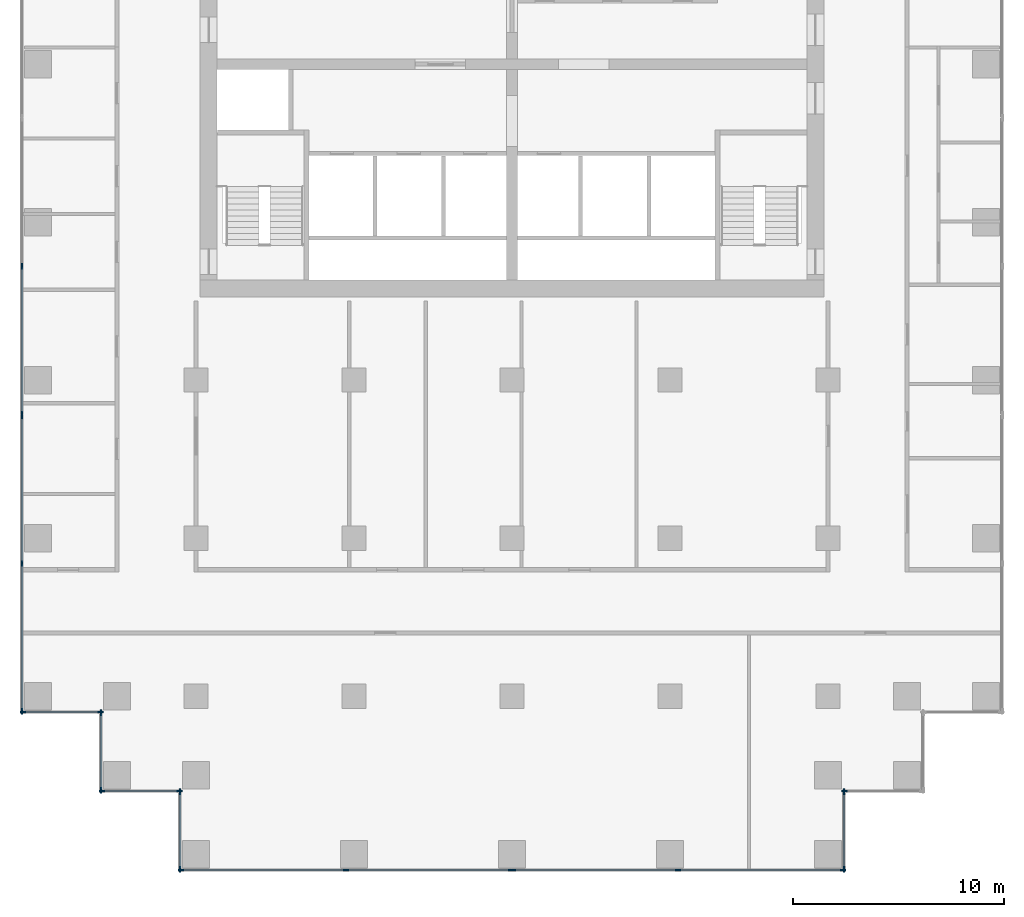
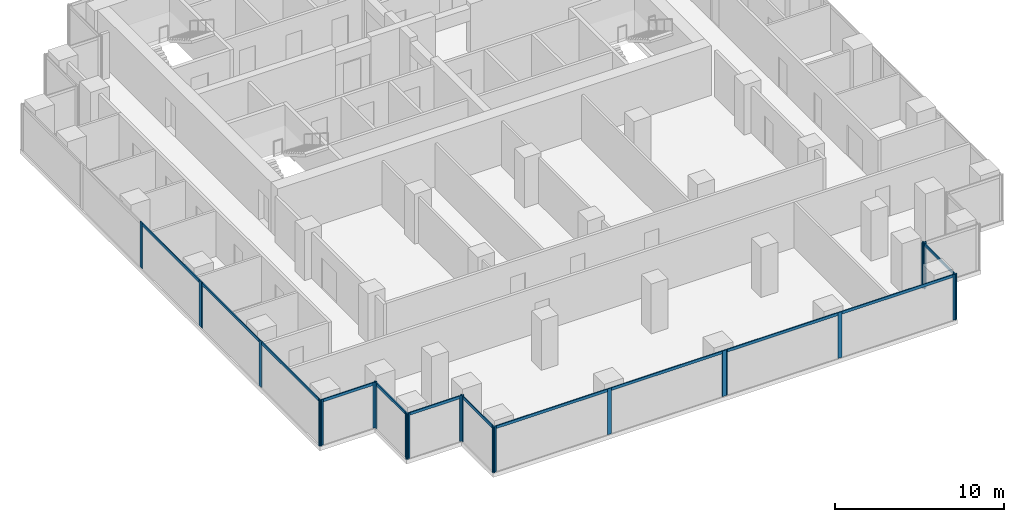
# One storey, part 2 of 10: 34 members, 10 elements without a shape of their own.
"""IFC4 building model written with IfcOpenShell, lengths in metres."""

from ifc_helpers import new_model, si_unit, direction, frame, origin, origin_2d, place, context, subcontext, project, spatial, rectangle, extrude, material, material_profile, profile_set, type_object, element, aggregate, save


model = new_model("IFC4")

# Units and contexts
model_context = context("Model", 3, precision=1e-05, world=origin(), true_north=direction((0.0, 1.0)))
body_context = subcontext(model_context, "Body", "Model", "MODEL_VIEW")
ifc_project = project(units=[si_unit("LENGTHUNIT", "METRE"), si_unit("AREAUNIT", "SQUARE_METRE"), si_unit("VOLUMEUNIT", "CUBIC_METRE"), si_unit("PLANEANGLEUNIT", "RADIAN"), si_unit("MASSUNIT", "GRAM", prefix="KILO")], contexts=[model_context])

# Site, building, storey
site_placement = place(None, origin())
site = spatial("IfcSite", under=ifc_project, at=site_placement, CompositionType="ELEMENT")
building_placement = place(site_placement, origin())
building = spatial("IfcBuilding", under=site, at=building_placement, Name="Pilkhan Gate Tower", CompositionType="ELEMENT")
storey_placement = place(building_placement, frame((0.0, 0.0, 132.39990234375)))
storey = spatial("IfcBuildingStorey", under=building, at=storey_placement, Name="L33", CompositionType="ELEMENT", Elevation=132.39990234375)

# Curtain wall, members
ifc_material_1 = material(Name="Pale anodised aluminium, clear low-iron double glazing", Category="aluminium")
curtain_wall_type = type_object("IfcCurtainWallType", Name="Office unitised curtain wall CW-O1", PredefinedType="USERDEFINED", material=ifc_material_1)
curtain_wall_1_placement = place(storey_placement, origin())
curtain_wall_1 = element("IfcCurtainWall", 1, at=curtain_wall_1_placement, inside=storey, type_object=curtain_wall_type, Name="Office unitised curtain wall CW-O1 L33 W", ObjectType="UNITISED CURTAIN WALL", PredefinedType="USERDEFINED")
ifc_material_2 = material(Name="Pale anodised aluminium", Category="aluminium")
ifc_material_profile_1 = material_profile(ifc_material_2, rectangle(XDim=0.070068359375, YDim=0.27490234375, at=origin_2d()), Name="Mullion 275x70")
ifc_profile_set_1 = profile_set([ifc_material_profile_1], Name="Pale anodised aluminium")
member_type_1 = type_object("IfcMemberType", Name="Mullion CW-O1 275x70", PredefinedType="MULLION", material=ifc_profile_set_1)
member_1_placement = place(storey_placement, frame((51.75, 51.784912109375, 0.0), z_axis=(0.0, 0.0, 1.0), x_axis=(-1.0, 0.0, 0.0)))
member_1 = element("IfcMember", 2, at=member_1_placement, type_object=member_type_1, Name="CW-O1 mullion 1", PredefinedType="MULLION", context=body_context, shape_type="SweptSolid", body=[
    extrude(rectangle(XDim=0.070068359375, YDim=0.27490234375, at=origin_2d()), origin(), (0.0, 0.0, 1.0), 3.300048828125),
])
member_2_placement = place(storey_placement, frame((51.75, 58.800048828125, 0.0), z_axis=(0.0, 0.0, 1.0), x_axis=(-1.0, 0.0, 0.0)))
member_2 = element("IfcMember", 3, at=member_2_placement, type_object=member_type_1, Name="CW-O1 mullion 2", PredefinedType="MULLION", context=body_context, shape_type="SweptSolid", body=[
    extrude(rectangle(XDim=0.070068359375, YDim=0.27490234375, at=origin_2d()), origin(), (0.0, 0.0, 1.0), 3.300048828125),
])
member_3_placement = place(storey_placement, frame((51.75, 65.81494140625, 0.0), z_axis=(0.0, 0.0, 1.0), x_axis=(-1.0, 0.0, 0.0)))
member_3 = element("IfcMember", 4, at=member_3_placement, type_object=member_type_1, Name="CW-O1 mullion 3", PredefinedType="MULLION", context=body_context, shape_type="SweptSolid", body=[
    extrude(rectangle(XDim=0.070068359375, YDim=0.27490234375, at=origin_2d()), origin(), (0.0, 0.0, 1.0), 3.300048828125),
])

curtain_wall_2_placement = place(storey_placement, origin())
curtain_wall_2 = element("IfcCurtainWall", 5, at=curtain_wall_2_placement, inside=storey, type_object=curtain_wall_type, Name="Office unitised curtain wall CW-O1 L33 W", ObjectType="UNITISED CURTAIN WALL", PredefinedType="USERDEFINED")
member_4_placement = place(storey_placement, frame((51.75, 65.885009765625, 0.0), z_axis=(0.0, 0.0, 1.0), x_axis=(-1.0, 0.0, 0.0)))
member_4 = element("IfcMember", 6, at=member_4_placement, type_object=member_type_1, Name="CW-O1 mullion 1", PredefinedType="MULLION", context=body_context, shape_type="SweptSolid", body=[
    extrude(rectangle(XDim=0.070068359375, YDim=0.27490234375, at=origin_2d()), origin(), (0.0, 0.0, 1.0), 3.300048828125),
])
member_5_placement = place(storey_placement, frame((51.75, 72.89990234375, 0.0), z_axis=(0.0, 0.0, 1.0), x_axis=(-1.0, 0.0, 0.0)))
member_5 = element("IfcMember", 7, at=member_5_placement, type_object=member_type_1, Name="CW-O1 mullion 2", PredefinedType="MULLION", context=body_context, shape_type="SweptSolid", body=[
    extrude(rectangle(XDim=0.070068359375, YDim=0.27490234375, at=origin_2d()), origin(), (0.0, 0.0, 1.0), 3.300048828125),
])

curtain_wall_3_placement = place(storey_placement, origin())
curtain_wall_3 = element("IfcCurtainWall", 8, at=curtain_wall_3_placement, inside=storey, type_object=curtain_wall_type, Name="Office unitised curtain wall CW-O1 L33 S", ObjectType="UNITISED CURTAIN WALL", PredefinedType="USERDEFINED")
member_6_placement = place(storey_placement, frame((51.784912109375, 51.75, 0.0), z_axis=(0.0, 0.0, 1.0), x_axis=(0.0, 1.0, 0.0)))
member_6 = element("IfcMember", 9, at=member_6_placement, type_object=member_type_1, Name="CW-O1 mullion 1", PredefinedType="MULLION", context=body_context, shape_type="SweptSolid", body=[
    extrude(rectangle(XDim=0.070068359375, YDim=0.27490234375, at=origin_2d()), origin(), (0.0, 0.0, 1.0), 3.300048828125),
])
member_7_placement = place(storey_placement, frame((55.465087890625, 51.75, 0.0), z_axis=(0.0, 0.0, 1.0), x_axis=(0.0, 1.0, 0.0)))
member_7 = element("IfcMember", 10, at=member_7_placement, type_object=member_type_1, Name="CW-O1 mullion 2", PredefinedType="MULLION", context=body_context, shape_type="SweptSolid", body=[
    extrude(rectangle(XDim=0.070068359375, YDim=0.27490234375, at=origin_2d()), origin(), (0.0, 0.0, 1.0), 3.300048828125),
])

curtain_wall_4_placement = place(storey_placement, origin())
curtain_wall_4 = element("IfcCurtainWall", 11, at=curtain_wall_4_placement, inside=storey, type_object=curtain_wall_type, Name="Office unitised curtain wall CW-O1 L33 W", ObjectType="UNITISED CURTAIN WALL", PredefinedType="USERDEFINED")
member_8_placement = place(storey_placement, frame((55.5, 48.034912109375, 0.0), z_axis=(0.0, 0.0, 1.0), x_axis=(-1.0, 0.0, 0.0)))
member_8 = element("IfcMember", 12, at=member_8_placement, type_object=member_type_1, Name="CW-O1 mullion 1", PredefinedType="MULLION", context=body_context, shape_type="SweptSolid", body=[
    extrude(rectangle(XDim=0.070068359375, YDim=0.27490234375, at=origin_2d()), origin(), (0.0, 0.0, 1.0), 3.300048828125),
])
member_9_placement = place(storey_placement, frame((55.5, 51.715087890625, 0.0), z_axis=(0.0, 0.0, 1.0), x_axis=(-1.0, 0.0, 0.0)))
member_9 = element("IfcMember", 13, at=member_9_placement, type_object=member_type_1, Name="CW-O1 mullion 2", PredefinedType="MULLION", context=body_context, shape_type="SweptSolid", body=[
    extrude(rectangle(XDim=0.070068359375, YDim=0.27490234375, at=origin_2d()), origin(), (0.0, 0.0, 1.0), 3.300048828125),
])

curtain_wall_5_placement = place(storey_placement, origin())
curtain_wall_5 = element("IfcCurtainWall", 14, at=curtain_wall_5_placement, inside=storey, type_object=curtain_wall_type, Name="Office unitised curtain wall CW-O1 L33 S", ObjectType="UNITISED CURTAIN WALL", PredefinedType="USERDEFINED")
member_10_placement = place(storey_placement, frame((55.534912109375, 48.0, 0.0), z_axis=(0.0, 0.0, 1.0), x_axis=(0.0, 1.0, 0.0)))
member_10 = element("IfcMember", 15, at=member_10_placement, type_object=member_type_1, Name="CW-O1 mullion 1", PredefinedType="MULLION", context=body_context, shape_type="SweptSolid", body=[
    extrude(rectangle(XDim=0.070068359375, YDim=0.27490234375, at=origin_2d()), origin(), (0.0, 0.0, 1.0), 3.300048828125),
])
member_11_placement = place(storey_placement, frame((59.215087890625, 48.0, 0.0), z_axis=(0.0, 0.0, 1.0), x_axis=(0.0, 1.0, 0.0)))
member_11 = element("IfcMember", 16, at=member_11_placement, type_object=member_type_1, Name="CW-O1 mullion 2", PredefinedType="MULLION", context=body_context, shape_type="SweptSolid", body=[
    extrude(rectangle(XDim=0.070068359375, YDim=0.27490234375, at=origin_2d()), origin(), (0.0, 0.0, 1.0), 3.300048828125),
])

curtain_wall_6_placement = place(storey_placement, origin())
curtain_wall_6 = element("IfcCurtainWall", 17, at=curtain_wall_6_placement, inside=storey, type_object=curtain_wall_type, Name="Office unitised curtain wall CW-O1 L33 W", ObjectType="UNITISED CURTAIN WALL", PredefinedType="USERDEFINED")
member_12_placement = place(storey_placement, frame((59.25, 44.284912109375, 0.0), z_axis=(0.0, 0.0, 1.0), x_axis=(-1.0, 0.0, 0.0)))
member_12 = element("IfcMember", 18, at=member_12_placement, type_object=member_type_1, Name="CW-O1 mullion 1", PredefinedType="MULLION", context=body_context, shape_type="SweptSolid", body=[
    extrude(rectangle(XDim=0.070068359375, YDim=0.27490234375, at=origin_2d()), origin(), (0.0, 0.0, 1.0), 3.300048828125),
])
member_13_placement = place(storey_placement, frame((59.25, 47.965087890625, 0.0), z_axis=(0.0, 0.0, 1.0), x_axis=(-1.0, 0.0, 0.0)))
member_13 = element("IfcMember", 19, at=member_13_placement, type_object=member_type_1, Name="CW-O1 mullion 2", PredefinedType="MULLION", context=body_context, shape_type="SweptSolid", body=[
    extrude(rectangle(XDim=0.070068359375, YDim=0.27490234375, at=origin_2d()), origin(), (0.0, 0.0, 1.0), 3.300048828125),
])

curtain_wall_7_placement = place(storey_placement, origin())
curtain_wall_7 = element("IfcCurtainWall", 20, at=curtain_wall_7_placement, inside=storey, type_object=curtain_wall_type, Name="Office unitised curtain wall CW-O1 L33 S", ObjectType="UNITISED CURTAIN WALL", PredefinedType="USERDEFINED")
member_14_placement = place(storey_placement, frame((59.284912109375, 44.25, 0.0), z_axis=(0.0, 0.0, 1.0), x_axis=(0.0, 1.0, 0.0)))
member_14 = element("IfcMember", 21, at=member_14_placement, type_object=member_type_1, Name="CW-O1 mullion 1", PredefinedType="MULLION", context=body_context, shape_type="SweptSolid", body=[
    extrude(rectangle(XDim=0.070068359375, YDim=0.27490234375, at=origin_2d()), origin(), (0.0, 0.0, 1.0), 3.300048828125),
])
member_15_placement = place(storey_placement, frame((67.125, 44.25, 0.0), z_axis=(0.0, 0.0, 1.0), x_axis=(0.0, 1.0, 0.0)))
member_15 = element("IfcMember", 22, at=member_15_placement, type_object=member_type_1, Name="CW-O1 mullion 2", PredefinedType="MULLION", context=body_context, shape_type="SweptSolid", body=[
    extrude(rectangle(XDim=0.070068359375, YDim=0.27490234375, at=origin_2d()), origin(), (0.0, 0.0, 1.0), 3.300048828125),
])
member_16_placement = place(storey_placement, frame((74.965087890625, 44.25, 0.0), z_axis=(0.0, 0.0, 1.0), x_axis=(0.0, 1.0, 0.0)))
member_16 = element("IfcMember", 23, at=member_16_placement, type_object=member_type_1, Name="CW-O1 mullion 3", PredefinedType="MULLION", context=body_context, shape_type="SweptSolid", body=[
    extrude(rectangle(XDim=0.070068359375, YDim=0.27490234375, at=origin_2d()), origin(), (0.0, 0.0, 1.0), 3.300048828125),
])

curtain_wall_8_placement = place(storey_placement, origin())
curtain_wall_8 = element("IfcCurtainWall", 24, at=curtain_wall_8_placement, inside=storey, type_object=curtain_wall_type, Name="Office unitised curtain wall CW-O1 L33 S", ObjectType="UNITISED CURTAIN WALL", PredefinedType="USERDEFINED")
member_17_placement = place(storey_placement, frame((75.034912109375, 44.25, 0.0), z_axis=(0.0, 0.0, 1.0), x_axis=(0.0, 1.0, 0.0)))
member_17 = element("IfcMember", 25, at=member_17_placement, type_object=member_type_1, Name="CW-O1 mullion 1", PredefinedType="MULLION", context=body_context, shape_type="SweptSolid", body=[
    extrude(rectangle(XDim=0.070068359375, YDim=0.27490234375, at=origin_2d()), origin(), (0.0, 0.0, 1.0), 3.300048828125),
])
member_18_placement = place(storey_placement, frame((82.875, 44.25, 0.0), z_axis=(0.0, 0.0, 1.0), x_axis=(0.0, 1.0, 0.0)))
member_18 = element("IfcMember", 26, at=member_18_placement, type_object=member_type_1, Name="CW-O1 mullion 2", PredefinedType="MULLION", context=body_context, shape_type="SweptSolid", body=[
    extrude(rectangle(XDim=0.070068359375, YDim=0.27490234375, at=origin_2d()), origin(), (0.0, 0.0, 1.0), 3.300048828125),
])
member_19_placement = place(storey_placement, frame((90.715087890625, 44.25, 0.0), z_axis=(0.0, 0.0, 1.0), x_axis=(0.0, 1.0, 0.0)))
member_19 = element("IfcMember", 27, at=member_19_placement, type_object=member_type_1, Name="CW-O1 mullion 3", PredefinedType="MULLION", context=body_context, shape_type="SweptSolid", body=[
    extrude(rectangle(XDim=0.070068359375, YDim=0.27490234375, at=origin_2d()), origin(), (0.0, 0.0, 1.0), 3.300048828125),
])

curtain_wall_9_placement = place(storey_placement, origin())
curtain_wall_9 = element("IfcCurtainWall", 28, at=curtain_wall_9_placement, inside=storey, type_object=curtain_wall_type, Name="Office unitised curtain wall CW-O1 L33 E", ObjectType="UNITISED CURTAIN WALL", PredefinedType="USERDEFINED")
member_20_placement = place(storey_placement, frame((90.75, 44.284912109375, 0.0), z_axis=(0.0, 0.0, 1.0), x_axis=(-1.0, 0.0, 0.0)))
member_20 = element("IfcMember", 29, at=member_20_placement, type_object=member_type_1, Name="CW-O1 mullion 1", PredefinedType="MULLION", context=body_context, shape_type="SweptSolid", body=[
    extrude(rectangle(XDim=0.070068359375, YDim=0.27490234375, at=origin_2d()), origin(), (0.0, 0.0, 1.0), 3.300048828125),
])
member_21_placement = place(storey_placement, frame((90.75, 47.965087890625, 0.0), z_axis=(0.0, 0.0, 1.0), x_axis=(-1.0, 0.0, 0.0)))
member_21 = element("IfcMember", 30, at=member_21_placement, type_object=member_type_1, Name="CW-O1 mullion 2", PredefinedType="MULLION", context=body_context, shape_type="SweptSolid", body=[
    extrude(rectangle(XDim=0.070068359375, YDim=0.27490234375, at=origin_2d()), origin(), (0.0, 0.0, 1.0), 3.300048828125),
])

# Curtain wall, member
curtain_wall_10_placement = place(storey_placement, origin())
curtain_wall_10 = element("IfcCurtainWall", 31, at=curtain_wall_10_placement, inside=storey, type_object=curtain_wall_type, Name="Office unitised curtain wall CW-O1 L33 S", ObjectType="UNITISED CURTAIN WALL", PredefinedType="USERDEFINED")
member_22_placement = place(storey_placement, frame((90.784912109375, 48.0, 0.0), z_axis=(0.0, 0.0, 1.0), x_axis=(0.0, 1.0, 0.0)))
member_22 = element("IfcMember", 32, at=member_22_placement, type_object=member_type_1, Name="CW-O1 mullion 1", PredefinedType="MULLION", context=body_context, shape_type="SweptSolid", body=[
    extrude(rectangle(XDim=0.070068359375, YDim=0.27490234375, at=origin_2d()), origin(), (0.0, 0.0, 1.0), 3.300048828125),
])
aggregate(curtain_wall_10, [member_22])

# Member
ifc_material_profile_2 = material_profile(ifc_material_2, rectangle(XDim=0.070068359375, YDim=0.199951171875, at=origin_2d()), Name="Transom 200x70")
ifc_profile_set_2 = profile_set([ifc_material_profile_2], Name="Pale anodised aluminium")
member_type_2 = type_object("IfcMemberType", Name="Transom CW-O1 200x70", PredefinedType="USERDEFINED", material=ifc_profile_set_2)
member_23_placement = place(storey_placement, frame((51.75, 51.820068359375, 3.2001953125), z_axis=(0.0, 1.0, 0.0), x_axis=(-1.0, 0.0, 0.0)))
member_23 = element("IfcMember", 33, at=member_23_placement, type_object=member_type_2, Name="CW-O1 transom 1", ObjectType="TRANSOM", PredefinedType="USERDEFINED", context=body_context, shape_type="SweptSolid", body=[
    extrude(rectangle(XDim=0.070068359375, YDim=0.199951171875, at=origin_2d()), origin(), (0.0, 0.0, 1.0), 6.94482421875),
])

member_24_placement = place(storey_placement, frame((51.75, 58.8349609375, 3.2001953125), z_axis=(0.0, 1.0, 0.0), x_axis=(-1.0, 0.0, 0.0)))
member_24 = element("IfcMember", 34, at=member_24_placement, type_object=member_type_2, Name="CW-O1 transom 2", ObjectType="TRANSOM", PredefinedType="USERDEFINED", context=body_context, shape_type="SweptSolid", body=[
    extrude(rectangle(XDim=0.070068359375, YDim=0.199951171875, at=origin_2d()), origin(), (0.0, 0.0, 1.0), 6.945068359375),
])

aggregate(curtain_wall_1, [member_1, member_2, member_3, member_23, member_24])

member_25_placement = place(storey_placement, frame((51.75, 65.919921875, 3.2001953125), z_axis=(0.0, 1.0, 0.0), x_axis=(-1.0, 0.0, 0.0)))
member_25 = element("IfcMember", 35, at=member_25_placement, type_object=member_type_2, Name="CW-O1 transom 1", ObjectType="TRANSOM", PredefinedType="USERDEFINED", context=body_context, shape_type="SweptSolid", body=[
    extrude(rectangle(XDim=0.070068359375, YDim=0.199951171875, at=origin_2d()), origin(), (0.0, 0.0, 1.0), 6.945068359375),
])

aggregate(curtain_wall_2, [member_4, member_5, member_25])

member_26_placement = place(storey_placement, frame((51.820068359375, 51.75, 3.2001953125), z_axis=(1.0, 0.0, 0.0), x_axis=(0.0, 1.0, 0.0)))
member_26 = element("IfcMember", 36, at=member_26_placement, type_object=member_type_2, Name="CW-O1 transom 1", ObjectType="TRANSOM", PredefinedType="USERDEFINED", context=body_context, shape_type="SweptSolid", body=[
    extrude(rectangle(XDim=0.070068359375, YDim=0.199951171875, at=origin_2d()), origin(), (0.0, 0.0, 1.0), 3.60986328125),
])

aggregate(curtain_wall_3, [member_6, member_7, member_26])

member_27_placement = place(storey_placement, frame((55.5, 48.070068359375, 3.2001953125), z_axis=(0.0, 1.0, 0.0), x_axis=(-1.0, 0.0, 0.0)))
member_27 = element("IfcMember", 37, at=member_27_placement, type_object=member_type_2, Name="CW-O1 transom 1", ObjectType="TRANSOM", PredefinedType="USERDEFINED", context=body_context, shape_type="SweptSolid", body=[
    extrude(rectangle(XDim=0.070068359375, YDim=0.199951171875, at=origin_2d()), origin(), (0.0, 0.0, 1.0), 3.60986328125),
])

aggregate(curtain_wall_4, [member_8, member_9, member_27])

member_28_placement = place(storey_placement, frame((55.570068359375, 48.0, 3.2001953125), z_axis=(1.0, 0.0, 0.0), x_axis=(0.0, 1.0, 0.0)))
member_28 = element("IfcMember", 38, at=member_28_placement, type_object=member_type_2, Name="CW-O1 transom 1", ObjectType="TRANSOM", PredefinedType="USERDEFINED", context=body_context, shape_type="SweptSolid", body=[
    extrude(rectangle(XDim=0.070068359375, YDim=0.199951171875, at=origin_2d()), origin(), (0.0, 0.0, 1.0), 3.60986328125),
])

aggregate(curtain_wall_5, [member_10, member_11, member_28])

member_29_placement = place(storey_placement, frame((59.25, 44.320068359375, 3.2001953125), z_axis=(0.0, 1.0, 0.0), x_axis=(-1.0, 0.0, 0.0)))
member_29 = element("IfcMember", 39, at=member_29_placement, type_object=member_type_2, Name="CW-O1 transom 1", ObjectType="TRANSOM", PredefinedType="USERDEFINED", context=body_context, shape_type="SweptSolid", body=[
    extrude(rectangle(XDim=0.070068359375, YDim=0.199951171875, at=origin_2d()), origin(), (0.0, 0.0, 1.0), 3.60986328125),
])

aggregate(curtain_wall_6, [member_12, member_13, member_29])

member_30_placement = place(storey_placement, frame((59.320068359375, 44.25, 3.2001953125), z_axis=(1.0, 0.0, 0.0), x_axis=(0.0, 1.0, 0.0)))
member_30 = element("IfcMember", 40, at=member_30_placement, type_object=member_type_2, Name="CW-O1 transom 1", ObjectType="TRANSOM", PredefinedType="USERDEFINED", context=body_context, shape_type="SweptSolid", body=[
    extrude(rectangle(XDim=0.070068359375, YDim=0.199951171875, at=origin_2d()), origin(), (0.0, 0.0, 1.0), 7.77001953125),
])

member_31_placement = place(storey_placement, frame((67.159912109375, 44.25, 3.2001953125), z_axis=(1.0, 0.0, 0.0), x_axis=(0.0, 1.0, 0.0)))
member_31 = element("IfcMember", 41, at=member_31_placement, type_object=member_type_2, Name="CW-O1 transom 2", ObjectType="TRANSOM", PredefinedType="USERDEFINED", context=body_context, shape_type="SweptSolid", body=[
    extrude(rectangle(XDim=0.070068359375, YDim=0.199951171875, at=origin_2d()), origin(), (0.0, 0.0, 1.0), 7.77001953125),
])

aggregate(curtain_wall_7, [member_14, member_15, member_16, member_30, member_31])

member_32_placement = place(storey_placement, frame((75.070068359375, 44.25, 3.2001953125), z_axis=(1.0, 0.0, 0.0), x_axis=(0.0, 1.0, 0.0)))
member_32 = element("IfcMember", 42, at=member_32_placement, type_object=member_type_2, Name="CW-O1 transom 1", ObjectType="TRANSOM", PredefinedType="USERDEFINED", context=body_context, shape_type="SweptSolid", body=[
    extrude(rectangle(XDim=0.070068359375, YDim=0.199951171875, at=origin_2d()), origin(), (0.0, 0.0, 1.0), 7.77001953125),
])

member_33_placement = place(storey_placement, frame((82.909912109375, 44.25, 3.2001953125), z_axis=(1.0, 0.0, 0.0), x_axis=(0.0, 1.0, 0.0)))
member_33 = element("IfcMember", 43, at=member_33_placement, type_object=member_type_2, Name="CW-O1 transom 2", ObjectType="TRANSOM", PredefinedType="USERDEFINED", context=body_context, shape_type="SweptSolid", body=[
    extrude(rectangle(XDim=0.070068359375, YDim=0.199951171875, at=origin_2d()), origin(), (0.0, 0.0, 1.0), 7.77001953125),
])

aggregate(curtain_wall_8, [member_17, member_18, member_19, member_32, member_33])

member_34_placement = place(storey_placement, frame((90.75, 44.320068359375, 3.2001953125), z_axis=(0.0, 1.0, 0.0), x_axis=(-1.0, 0.0, 0.0)))
member_34 = element("IfcMember", 44, at=member_34_placement, type_object=member_type_2, Name="CW-O1 transom 1", ObjectType="TRANSOM", PredefinedType="USERDEFINED", context=body_context, shape_type="SweptSolid", body=[
    extrude(rectangle(XDim=0.070068359375, YDim=0.199951171875, at=origin_2d()), origin(), (0.0, 0.0, 1.0), 3.60986328125),
])

aggregate(curtain_wall_9, [member_20, member_21, member_34])

save(model, "model.ifc")
